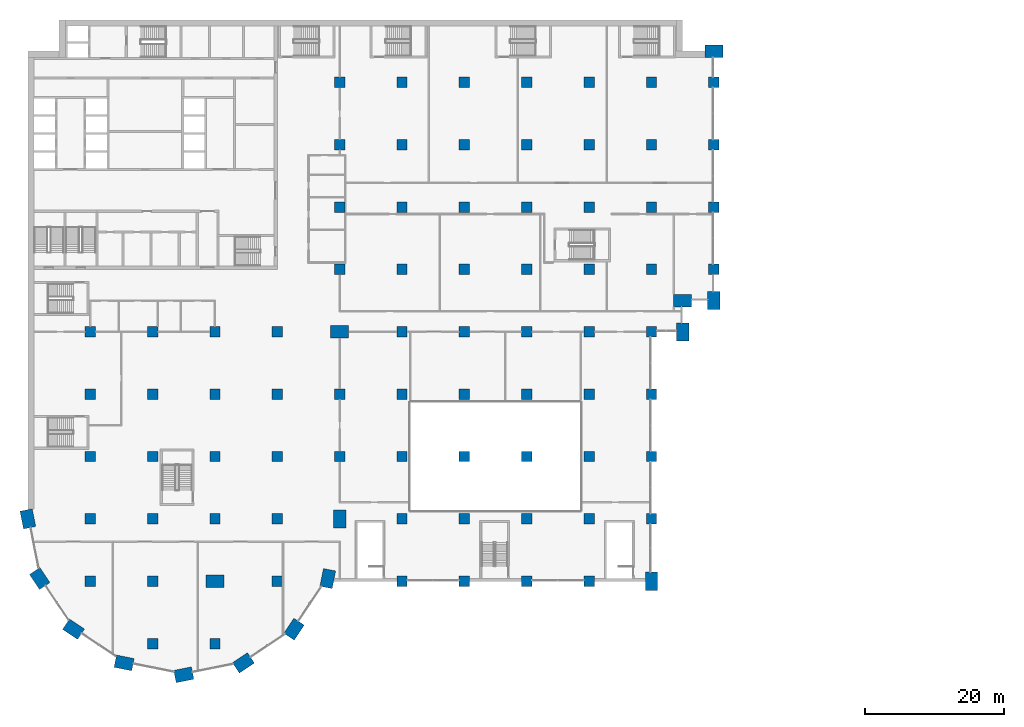
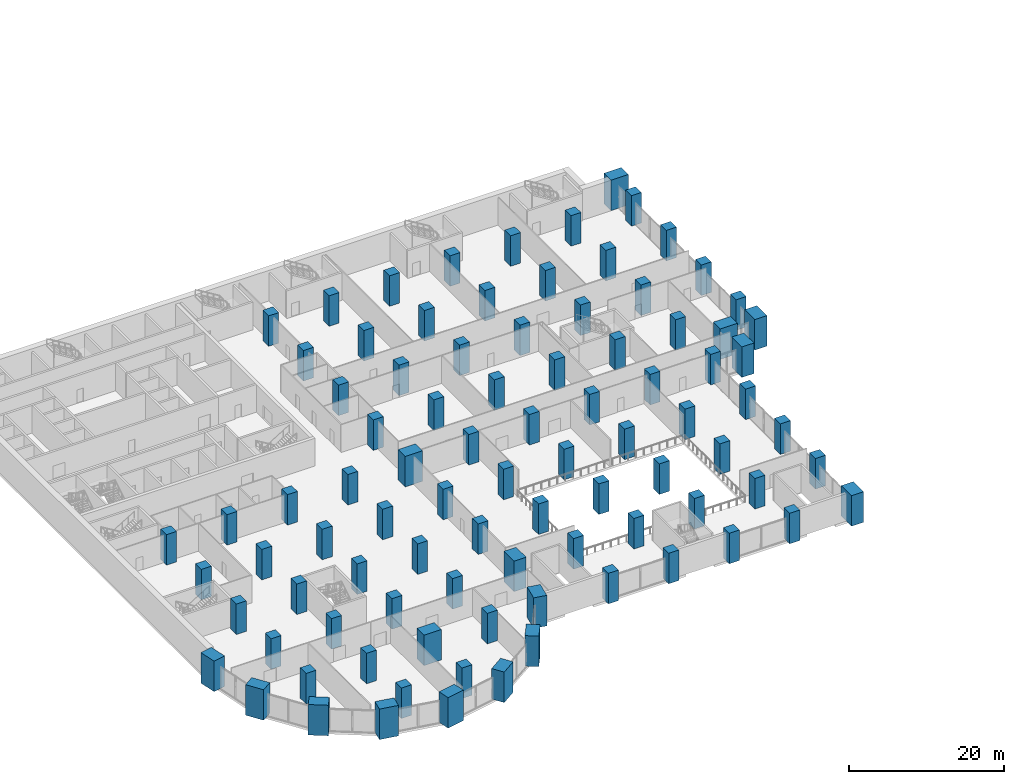
# One storey, part 1 of 32: 91 columns.
"""IFC4 building model written with IfcOpenShell, lengths in metres."""

from ifc_helpers import new_model, si_unit, direction, frame, origin, origin_2d, place, context, subcontext, project, spatial, rectangle, extrude, material, material_profile, profile_set, type_object, element, save


model = new_model("IFC4")

# Units and contexts
model_context = context("Model", 3, precision=1e-05, world=origin(), true_north=direction((0.0, 1.0)))
body_context = subcontext(model_context, "Body", "Model", "MODEL_VIEW")
ifc_project = project(units=[si_unit("LENGTHUNIT", "METRE"), si_unit("AREAUNIT", "SQUARE_METRE"), si_unit("VOLUMEUNIT", "CUBIC_METRE"), si_unit("PLANEANGLEUNIT", "RADIAN"), si_unit("MASSUNIT", "GRAM", prefix="KILO")], contexts=[model_context])

# Site, building, storey
site_placement = place(None, origin())
site = spatial("IfcSite", under=ifc_project, at=site_placement, CompositionType="ELEMENT")
building_placement = place(site_placement, origin())
building = spatial("IfcBuilding", under=site, at=building_placement, Name="Hunhe Ridgeline Campus", CompositionType="ELEMENT")
storey_placement = place(building_placement, frame((0.0, 0.0, 26.39990234375)))
storey = spatial("IfcBuildingStorey", under=building, at=storey_placement, Name="L05", CompositionType="ELEMENT", Elevation=26.39990234375)

# Columns
ifc_material = material(Name="Concrete C80", Category="concrete")
ifc_material_profile_1 = material_profile(ifc_material, rectangle(XDim=2.60009765625, YDim=1.800048828125, at=origin_2d()))
ifc_profile_set_1 = profile_set([ifc_material_profile_1], Name="Concrete C80")
column_type_1 = type_object("IfcColumnType", Name="Megacolumn 2600x1800 Concrete C80", PredefinedType="COLUMN", material=ifc_profile_set_1)
for number, where, z_axis, x_axis, name in (
    (1, (22.5, 4.5, 0.0), (0.0, 0.0, 1.0), (0.980785280403, 0.195090322016, 0.0), "Column C1 R1 L05"),
    (2, (13.8896484375, 6.212646484375, 0.0), (0.0, 0.0, 1.0), (-0.980785280403, 0.195090322016, 0.0), "Column C1 R2 L05"),
    (3, (31.1103515625, 6.212646484375, 0.0), (0.0, 0.0, 1.0), (0.831469612303, 0.55557023302, 0.0), "Column C1 R3 L05"),
    (4, (6.590087890625, 11.090087890625, 0.0), (0.0, 0.0, 1.0), (-0.831469612303, 0.55557023302, 0.0), "Column C1 R4 L05"),
    (5, (38.409912109375, 11.090087890625, 0.0), (0.0, 0.0, 1.0), (0.55557023302, 0.831469612303, 0.0), "Column C1 R5 L05"),
    (6, (1.712646484375, 18.3896484375, 0.0), (0.0, 0.0, 1.0), (-0.55557023302, 0.831469612303, 0.0), "Column C1 R9 L05"),
    (7, (43.287353515625, 18.3896484375, 0.0), (0.0, 0.0, 1.0), (0.195090322016, 0.980785280403, 0.0), "Column C1 R10 L05"),
    (8, (0.0, 27.0, 0.0), (0.0, 0.0, 1.0), (-0.195090322016, 0.980785280403, 0.0), "Column C1 D1 L05"),
    (9, (45.0, 27.0, 0.0), (0.0, 0.0, 1.0), (0.0, 1.0, 0.0), "Column C1 D6 L05"),
    (10, (45.0, 54.0, 0.0), (0.0, 0.0, 1.0), (1.0, 0.0, 0.0), "Column C1 G6 L05"),
    (11, (94.5, 54.0, 0.0), (0.0, 0.0, 1.0), (0.0, 1.0, 0.0), "Column C1 R32 L05"),
    (12, (94.5, 58.5, 0.0), (0.0, 0.0, 1.0), (1.0, 0.0, 0.0), "Column C1 R39 L05"),
    (13, (99.0, 58.5, 0.0), (0.0, 0.0, 1.0), (0.0, 1.0, 0.0), "Column C1 R40 L05"),
    (14, (99.0, 94.5, 0.0), (0.0, 0.0, 1.0), (1.0, 0.0, 0.0), "Column C1 R44 L05"),
    (15, (27.0, 18.0, 0.0), (0.0, 0.0, 1.0), (1.0, 0.0, 0.0), "Column C1 C4 L05"),
    (16, (90.0, 18.0, 0.0), (0.0, 0.0, 1.0), (0.0, 1.0, 0.0), "Column C1 C11 L05"),
):
    element("IfcColumn", number, at=place(storey_placement, frame(where, z_axis=z_axis, x_axis=x_axis)), inside=storey, type_object=column_type_1, Name=name, PredefinedType="COLUMN", context=body_context, shape_type="SweptSolid", body=[
        extrude(rectangle(XDim=2.60009765625, YDim=1.800048828125, at=origin_2d()), origin(), (0.0, 0.0, 1.0), 4.800048828125),
    ])
ifc_material_profile_2 = material_profile(ifc_material, rectangle(XDim=1.5, YDim=1.5, at=origin_2d()))
ifc_profile_set_2 = profile_set([ifc_material_profile_2], Name="Concrete C80")
column_type_2 = type_object("IfcColumnType", Name="RC column 1500x1500 Concrete C80", PredefinedType="COLUMN", material=ifc_profile_set_2)
for number, where, z_axis, x_axis, name in (
    (17, (45.0, 36.0, 0.0), (0.0, 0.0, 1.0), (1.0, 0.0, 0.0), "Column C2 E6 L05"),
    (18, (45.0, 45.0, 0.0), (0.0, 0.0, 1.0), (1.0, 0.0, 0.0), "Column C2 F6 L05"),
    (19, (54.0, 54.0, 0.0), (0.0, 0.0, 1.0), (1.0, 0.0, 0.0), "Column C2 G7 L05"),
    (20, (63.0, 54.0, 0.0), (0.0, 0.0, 1.0), (1.0, 0.0, 0.0), "Column C2 G8 L05"),
    (21, (72.0, 54.0, 0.0), (0.0, 0.0, 1.0), (1.0, 0.0, 0.0), "Column C2 G9 L05"),
    (22, (81.0, 54.0, 0.0), (0.0, 0.0, 1.0), (1.0, 0.0, 0.0), "Column C2 G10 L05"),
    (23, (90.0, 54.0, 0.0), (0.0, 0.0, 1.0), (1.0, 0.0, 0.0), "Column C2 G11 L05"),
    (24, (99.0, 63.0, 0.0), (0.0, 0.0, 1.0), (1.0, 0.0, 0.0), "Column C2 H12 L05"),
    (25, (99.0, 72.0, 0.0), (0.0, 0.0, 1.0), (1.0, 0.0, 0.0), "Column C2 I12 L05"),
    (26, (99.0, 81.0, 0.0), (0.0, 0.0, 1.0), (1.0, 0.0, 0.0), "Column C2 J12 L05"),
    (27, (99.0, 90.0, 0.0), (0.0, 0.0, 1.0), (1.0, 0.0, 0.0), "Column C2 K12 L05"),
    (28, (9.0, 18.0, 0.0), (0.0, 0.0, 1.0), (1.0, 0.0, 0.0), "Column C2 C2 L05"),
    (29, (9.0, 27.0, 0.0), (0.0, 0.0, 1.0), (1.0, 0.0, 0.0), "Column C2 D2 L05"),
    (30, (9.0, 36.0, 0.0), (0.0, 0.0, 1.0), (1.0, 0.0, 0.0), "Column C2 E2 L05"),
    (31, (9.0, 45.0, 0.0), (0.0, 0.0, 1.0), (1.0, 0.0, 0.0), "Column C2 F2 L05"),
    (32, (9.0, 54.0, 0.0), (0.0, 0.0, 1.0), (1.0, 0.0, 0.0), "Column C2 G2 L05"),
    (33, (18.0, 18.0, 0.0), (0.0, 0.0, 1.0), (1.0, 0.0, 0.0), "Column C2 C3 L05"),
    (34, (18.0, 27.0, 0.0), (0.0, 0.0, 1.0), (1.0, 0.0, 0.0), "Column C2 D3 L05"),
    (35, (18.0, 36.0, 0.0), (0.0, 0.0, 1.0), (1.0, 0.0, 0.0), "Column C2 E3 L05"),
    (36, (18.0, 45.0, 0.0), (0.0, 0.0, 1.0), (1.0, 0.0, 0.0), "Column C2 F3 L05"),
    (37, (18.0, 54.0, 0.0), (0.0, 0.0, 1.0), (1.0, 0.0, 0.0), "Column C2 G3 L05"),
    (38, (27.0, 27.0, 0.0), (0.0, 0.0, 1.0), (1.0, 0.0, 0.0), "Column C2 D4 L05"),
    (39, (27.0, 36.0, 0.0), (0.0, 0.0, 1.0), (1.0, 0.0, 0.0), "Column C2 E4 L05"),
    (40, (27.0, 45.0, 0.0), (0.0, 0.0, 1.0), (1.0, 0.0, 0.0), "Column C2 F4 L05"),
    (41, (27.0, 54.0, 0.0), (0.0, 0.0, 1.0), (1.0, 0.0, 0.0), "Column C2 G4 L05"),
    (42, (36.0, 18.0, 0.0), (0.0, 0.0, 1.0), (1.0, 0.0, 0.0), "Column C2 C5 L05"),
    (43, (36.0, 27.0, 0.0), (0.0, 0.0, 1.0), (1.0, 0.0, 0.0), "Column C2 D5 L05"),
    (44, (36.0, 36.0, 0.0), (0.0, 0.0, 1.0), (1.0, 0.0, 0.0), "Column C2 E5 L05"),
    (45, (36.0, 45.0, 0.0), (0.0, 0.0, 1.0), (1.0, 0.0, 0.0), "Column C2 F5 L05"),
    (46, (36.0, 54.0, 0.0), (0.0, 0.0, 1.0), (1.0, 0.0, 0.0), "Column C2 G5 L05"),
    (47, (45.0, 63.0, 0.0), (0.0, 0.0, 1.0), (1.0, 0.0, 0.0), "Column C2 H6 L05"),
    (48, (45.0, 72.0, 0.0), (0.0, 0.0, 1.0), (1.0, 0.0, 0.0), "Column C2 I6 L05"),
    (49, (45.0, 81.0, 0.0), (0.0, 0.0, 1.0), (1.0, 0.0, 0.0), "Column C2 J6 L05"),
    (50, (45.0, 90.0, 0.0), (0.0, 0.0, 1.0), (1.0, 0.0, 0.0), "Column C2 K6 L05"),
    (51, (54.0, 63.0, 0.0), (0.0, 0.0, 1.0), (1.0, 0.0, 0.0), "Column C2 H7 L05"),
    (52, (54.0, 72.0, 0.0), (0.0, 0.0, 1.0), (1.0, 0.0, 0.0), "Column C2 I7 L05"),
    (53, (54.0, 81.0, 0.0), (0.0, 0.0, 1.0), (1.0, 0.0, 0.0), "Column C2 J7 L05"),
    (54, (54.0, 90.0, 0.0), (0.0, 0.0, 1.0), (1.0, 0.0, 0.0), "Column C2 K7 L05"),
    (55, (63.0, 63.0, 0.0), (0.0, 0.0, 1.0), (1.0, 0.0, 0.0), "Column C2 H8 L05"),
    (56, (63.0, 72.0, 0.0), (0.0, 0.0, 1.0), (1.0, 0.0, 0.0), "Column C2 I8 L05"),
    (57, (63.0, 81.0, 0.0), (0.0, 0.0, 1.0), (1.0, 0.0, 0.0), "Column C2 J8 L05"),
    (58, (63.0, 90.0, 0.0), (0.0, 0.0, 1.0), (1.0, 0.0, 0.0), "Column C2 K8 L05"),
    (59, (72.0, 63.0, 0.0), (0.0, 0.0, 1.0), (1.0, 0.0, 0.0), "Column C2 H9 L05"),
    (60, (72.0, 72.0, 0.0), (0.0, 0.0, 1.0), (1.0, 0.0, 0.0), "Column C2 I9 L05"),
    (61, (72.0, 81.0, 0.0), (0.0, 0.0, 1.0), (1.0, 0.0, 0.0), "Column C2 J9 L05"),
    (62, (72.0, 90.0, 0.0), (0.0, 0.0, 1.0), (1.0, 0.0, 0.0), "Column C2 K9 L05"),
    (63, (81.0, 63.0, 0.0), (0.0, 0.0, 1.0), (1.0, 0.0, 0.0), "Column C2 H10 L05"),
    (64, (81.0, 72.0, 0.0), (0.0, 0.0, 1.0), (1.0, 0.0, 0.0), "Column C2 I10 L05"),
    (65, (81.0, 81.0, 0.0), (0.0, 0.0, 1.0), (1.0, 0.0, 0.0), "Column C2 J10 L05"),
    (66, (81.0, 90.0, 0.0), (0.0, 0.0, 1.0), (1.0, 0.0, 0.0), "Column C2 K10 L05"),
    (67, (90.0, 63.0, 0.0), (0.0, 0.0, 1.0), (1.0, 0.0, 0.0), "Column C2 H11 L05"),
    (68, (90.0, 72.0, 0.0), (0.0, 0.0, 1.0), (1.0, 0.0, 0.0), "Column C2 I11 L05"),
    (69, (90.0, 81.0, 0.0), (0.0, 0.0, 1.0), (1.0, 0.0, 0.0), "Column C2 J11 L05"),
    (70, (90.0, 90.0, 0.0), (0.0, 0.0, 1.0), (1.0, 0.0, 0.0), "Column C2 K11 L05"),
    (71, (54.0, 18.0, 0.0), (0.0, 0.0, 1.0), (1.0, 0.0, 0.0), "Column C2 C7 L05"),
    (72, (63.0, 18.0, 0.0), (0.0, 0.0, 1.0), (1.0, 0.0, 0.0), "Column C2 C8 L05"),
    (73, (72.0, 18.0, 0.0), (0.0, 0.0, 1.0), (1.0, 0.0, 0.0), "Column C2 C9 L05"),
    (74, (81.0, 18.0, 0.0), (0.0, 0.0, 1.0), (1.0, 0.0, 0.0), "Column C2 C10 L05"),
    (75, (90.0, 27.0, 0.0), (0.0, 0.0, 1.0), (1.0, 0.0, 0.0), "Column C2 D11 L05"),
    (76, (90.0, 36.0, 0.0), (0.0, 0.0, 1.0), (1.0, 0.0, 0.0), "Column C2 E11 L05"),
    (77, (90.0, 45.0, 0.0), (0.0, 0.0, 1.0), (1.0, 0.0, 0.0), "Column C2 F11 L05"),
    (78, (18.0, 9.0, 0.0), (0.0, 0.0, 1.0), (1.0, 0.0, 0.0), "Column C2 B3 L05"),
    (79, (27.0, 9.0, 0.0), (0.0, 0.0, 1.0), (1.0, 0.0, 0.0), "Column C2 B4 L05"),
    (80, (54.0, 27.0, 0.0), (0.0, 0.0, 1.0), (1.0, 0.0, 0.0), "Column C2 D7 L05"),
    (81, (54.0, 36.0, 0.0), (0.0, 0.0, 1.0), (1.0, 0.0, 0.0), "Column C2 E7 L05"),
    (82, (54.0, 45.0, 0.0), (0.0, 0.0, 1.0), (1.0, 0.0, 0.0), "Column C2 F7 L05"),
    (83, (63.0, 27.0, 0.0), (0.0, 0.0, 1.0), (1.0, 0.0, 0.0), "Column C2 D8 L05"),
    (84, (63.0, 36.0, 0.0), (0.0, 0.0, 1.0), (1.0, 0.0, 0.0), "Column C2 E8 L05"),
    (85, (63.0, 45.0, 0.0), (0.0, 0.0, 1.0), (1.0, 0.0, 0.0), "Column C2 F8 L05"),
    (86, (72.0, 27.0, 0.0), (0.0, 0.0, 1.0), (1.0, 0.0, 0.0), "Column C2 D9 L05"),
    (87, (72.0, 36.0, 0.0), (0.0, 0.0, 1.0), (1.0, 0.0, 0.0), "Column C2 E9 L05"),
    (88, (72.0, 45.0, 0.0), (0.0, 0.0, 1.0), (1.0, 0.0, 0.0), "Column C2 F9 L05"),
    (89, (81.0, 27.0, 0.0), (0.0, 0.0, 1.0), (1.0, 0.0, 0.0), "Column C2 D10 L05"),
    (90, (81.0, 36.0, 0.0), (0.0, 0.0, 1.0), (1.0, 0.0, 0.0), "Column C2 E10 L05"),
    (91, (81.0, 45.0, 0.0), (0.0, 0.0, 1.0), (1.0, 0.0, 0.0), "Column C2 F10 L05"),
):
    element("IfcColumn", number, at=place(storey_placement, frame(where, z_axis=z_axis, x_axis=x_axis)), inside=storey, type_object=column_type_2, Name=name, PredefinedType="COLUMN", context=body_context, shape_type="SweptSolid", body=[
        extrude(rectangle(XDim=1.5, YDim=1.5, at=origin_2d()), origin(), (0.0, 0.0, 1.0), 4.800048828125),
    ])

save(model, "model.ifc")
